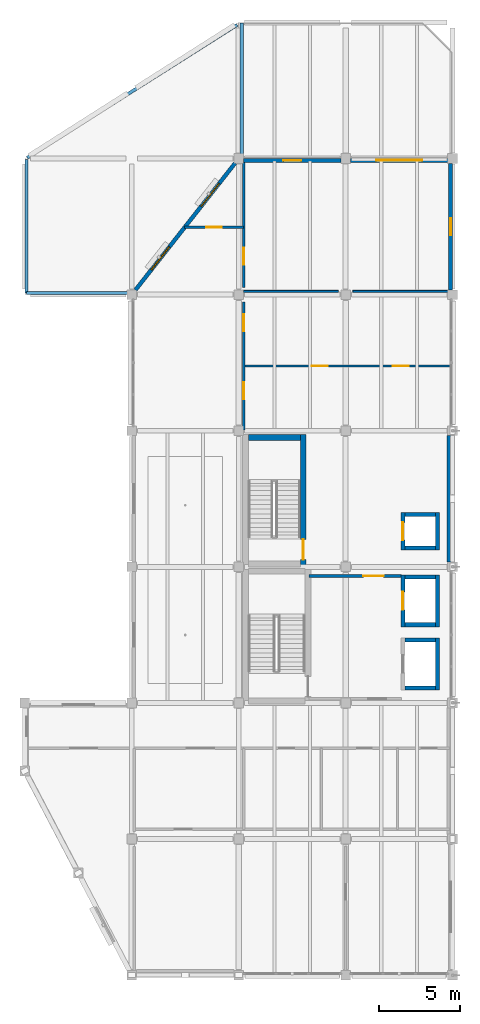
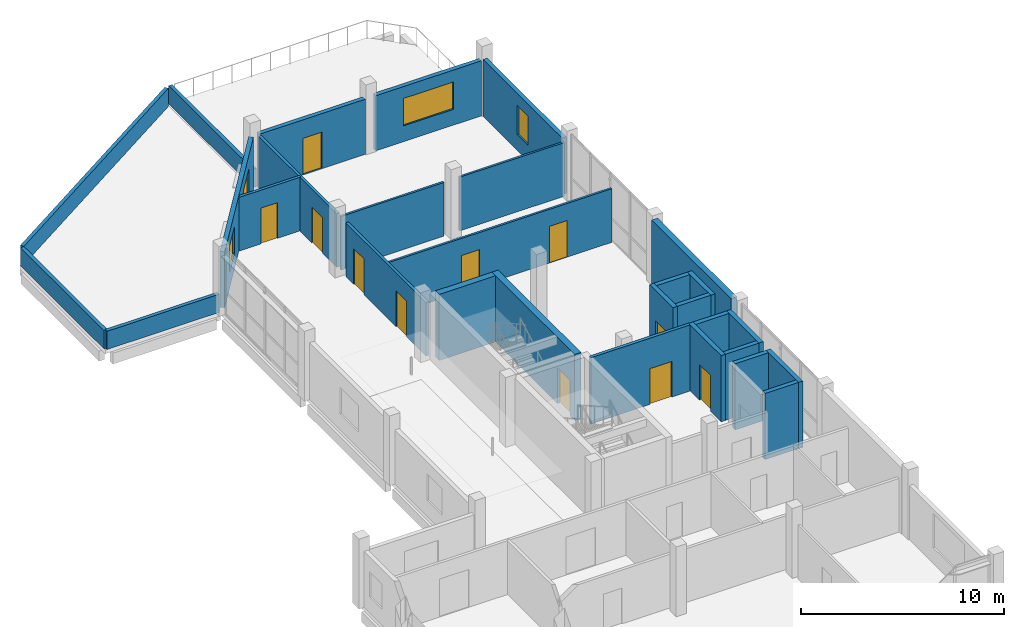
# One storey, part 7 of 12: 29 walls, 11 doors, 4 windows, 15 openings.
"""IFC4 building model written with IfcOpenShell, lengths in metres."""

import ifcopenshell
import ifcopenshell.guid

model = None  # the IFC model being written
_history = None  # IfcOwnerHistory: only IFC2X3 demands one
_inside = {}  # id of a spatial element -> (the spatial element, [elements in it])
_under = {}  # id of a project, library or spatial element -> (it, [spatial elements below it])
_declared = {}  # id of a project -> (the project, [libraries it declares])
_typed = {}  # id of a type object -> (the type object, [elements of that type])
_made_of = {}  # id of a material, layer set ... -> (it, [elements and type objects made of it])


def new_model(schema):
    """Start an empty IFC model of exactly this schema.

    Asked for "IFC4X3", IfcOpenShell would pick the latest addendum, in which some entities
    have other attributes; the version numbers below select the first issue.
    IFC2X3 requires an IfcOwnerHistory on every rooted entity: one is made here for all.
    """
    global model, _history
    if schema == "IFC4X3":
        model = ifcopenshell.file(schema_version=(4, 3, 0, 0))
    else:
        model = ifcopenshell.file(schema=schema)
    _inside.clear()
    _under.clear()
    _declared.clear()
    _typed.clear()
    _made_of.clear()
    _history = None
    if model.schema == "IFC2X3":
        org = make("IfcOrganization", Name="unknown")
        user = make(
            "IfcPersonAndOrganization",
            ThePerson=make("IfcPerson", FamilyName="unknown"),
            TheOrganization=org,
        )
        app = make(
            "IfcApplication",
            ApplicationDeveloper=org,
            Version="unknown",
            ApplicationFullName="unknown",
            ApplicationIdentifier="unknown",
        )
        _history = make(
            "IfcOwnerHistory",
            OwningUser=user,
            OwningApplication=app,
            ChangeAction="ADDED",
            CreationDate=0,
        )
    return model


def make(cls, **values):
    """One entity of the class cls with the attributes given. An attribute that is None is left unset."""
    return model.create_entity(
        cls, **{name: value for name, value in values.items() if value is not None}
    )


def rooted(cls, **values):
    """An entity with a GlobalId (a new one), such as an element, a storey or a relation."""
    return make(cls, GlobalId=ifcopenshell.guid.new(), OwnerHistory=_history, **values)


def si_unit(unit_type, name, prefix=None):
    """IfcSIUnit, for example si_unit("LENGTHUNIT", "METRE", prefix="MILLI")."""
    return make("IfcSIUnit", UnitType=unit_type, Prefix=prefix, Name=name)


def assignment(units):
    """IfcUnitAssignment: the units of a project."""
    return None if units is None else make("IfcUnitAssignment", Units=units)


def point(xyz):
    """IfcCartesianPoint."""
    return None if xyz is None else make("IfcCartesianPoint", Coordinates=xyz)


def direction(xyz):
    """IfcDirection."""
    return None if xyz is None else make("IfcDirection", DirectionRatios=xyz)


def frame(location, z_axis=None, x_axis=None):
    """IfcAxis2Placement3D, a coordinate frame: its origin and axes. An axis left out is left unset."""
    return make(
        "IfcAxis2Placement3D",
        Location=point(location),
        Axis=direction(z_axis),
        RefDirection=direction(x_axis),
    )


def frame_2d(location, x_axis=None):
    """IfcAxis2Placement2D, a coordinate frame in the plane: its origin and x axis."""
    return make(
        "IfcAxis2Placement2D", Location=point(location), RefDirection=direction(x_axis)
    )


def origin():
    """The frame at (0, 0, 0) with its axes left unset."""
    return frame((0.0, 0.0, 0.0))


def place(relative_to, where):
    """IfcLocalPlacement: puts the frame where relative to a parent placement (None: the world)."""
    return make(
        "IfcLocalPlacement", PlacementRelTo=relative_to, RelativePlacement=where
    )


def context(
    kind, dimensions, precision=None, world=None, true_north=None, identifier=None
):
    """IfcGeometricRepresentationContext, for example the 3D "Model" context."""
    return make(
        "IfcGeometricRepresentationContext",
        ContextIdentifier=identifier,
        ContextType=kind,
        CoordinateSpaceDimension=dimensions,
        Precision=precision,
        WorldCoordinateSystem=world,
        TrueNorth=true_north,
    )


def subcontext(parent, identifier, kind, view, scale=None):
    """IfcGeometricRepresentationSubContext, for example "Body" below "Model"."""
    return make(
        "IfcGeometricRepresentationSubContext",
        ContextIdentifier=identifier,
        ContextType=kind,
        ParentContext=parent,
        TargetScale=scale,
        TargetView=view,
    )


def project(units=None, contexts=None):
    """IfcProject with its units and contexts."""
    return rooted(
        "IfcProject",
        Name="project",
        RepresentationContexts=contexts,
        UnitsInContext=assignment(units),
    )


def spatial(cls, under=None, at=None, **own):
    """A site, building, storey or space (cls), placed at a placement, below another one or the project."""
    s = rooted(cls, ObjectPlacement=at, **own)
    if under is not None:
        _under.setdefault(under.id(), (under, []))[1].append(s)
    return s


def profile(cls, at=None, kind="AREA", **sizes):
    """A parametric profile (cls). Its sizes go by their IFC names, for example OverallWidth=200.0."""
    return make(cls, ProfileType=kind, Position=at, **sizes)


def rectangle(**sizes):
    """IfcRectangleProfileDef."""
    return profile("IfcRectangleProfileDef", **sizes)


def extrude(swept, where, along, depth):
    """IfcExtrudedAreaSolid: the profile swept, set in the frame where, extruded along a direction by depth."""
    return make(
        "IfcExtrudedAreaSolid",
        SweptArea=swept,
        Position=where,
        ExtrudedDirection=direction(along),
        Depth=depth,
    )


def shape(context_of_items, identifier, shape_type, items):
    """IfcShapeRepresentation: the items that make up one representation, for example the "Body"."""
    return make(
        "IfcShapeRepresentation",
        ContextOfItems=context_of_items,
        RepresentationIdentifier=identifier,
        RepresentationType=shape_type,
        Items=items,
    )


def material(Name=None, Category=None):
    """IfcMaterial."""
    return make("IfcMaterial", Name=Name, Category=Category)


def layer(
    of_material, thickness, ventilated=None, Name=None, Category=None, Priority=None
):
    """IfcMaterialLayer: one layer of a wall or slab, of a material (None: an air gap)."""
    return make(
        "IfcMaterialLayer",
        Material=of_material,
        LayerThickness=thickness,
        IsVentilated=ventilated,
        Name=Name,
        Category=Category,
        Priority=Priority,
    )


def layer_set(layers, Name=None):
    """IfcMaterialLayerSet."""
    return make("IfcMaterialLayerSet", MaterialLayers=layers, LayerSetName=Name)


def made_of(thing, what):
    """Note that an element or type object is made of a material, layer set ...; save() writes the relation."""
    if what is not None:
        _made_of.setdefault(what.id(), (what, []))[1].append(thing)
    return thing


def type_object(cls, material=None, **own):
    """A type object (cls), such as IfcWallType, which elements share."""
    return made_of(rooted(cls, **own), material)


def element(
    cls,
    number,
    at=None,
    inside=None,
    cuts=None,
    type_object=None,
    material=None,
    context=None,
    identifier="Body",
    shape_type=None,
    held_by="IfcProductDefinitionShape",
    body=None,
    shapes=None,
    **own,
):
    """One element of the class cls, such as IfcWall. Its Tag is "e" and its number.

    at: its placement. inside: the storey or other place that contains it. cuts: it is an
    opening in that element (IfcRelVoidsElement). A single representation is given by context,
    identifier, shape_type and body (its items); several are given by shapes. held_by: the class
    of the entity that holds the representations. save() writes the other relations.
    """
    e = rooted(cls, Tag="e%d" % number, ObjectPlacement=at, **own)
    if body is not None:
        shapes = [shape(context, identifier, shape_type, body)]
    if shapes is not None:
        e.Representation = make(held_by, Representations=shapes)
    if inside is not None:
        _inside.setdefault(inside.id(), (inside, []))[1].append(e)
    if cuts is not None:
        rooted(
            "IfcRelVoidsElement", RelatingBuildingElement=cuts, RelatedOpeningElement=e
        )
    if type_object is not None:
        _typed.setdefault(type_object.id(), (type_object, []))[1].append(e)
    return made_of(e, material)


def fill(opening, filler):
    """IfcRelFillsElement: the door or window that sits in an opening."""
    return rooted(
        "IfcRelFillsElement",
        RelatingOpeningElement=opening,
        RelatedBuildingElement=filler,
    )


def aggregate(whole, parts):
    """IfcRelAggregates: a whole, such as a stair, and the parts it consists of."""
    return rooted("IfcRelAggregates", RelatingObject=whole, RelatedObjects=parts)


def save(model, path):
    """Write the relations noted so far, then the file.

    IfcRelAggregates (storeys below a building ...), IfcRelContainedInSpatialStructure (elements
    in a storey), IfcRelDefinesByType, IfcRelAssociatesMaterial and IfcRelDeclares: one each for
    every whole, place, type object, material and project.
    """
    for whole, parts in _under.values():
        aggregate(whole, parts)
    for where, things in _inside.values():
        rooted(
            "IfcRelContainedInSpatialStructure",
            RelatedElements=things,
            RelatingStructure=where,
        )
    for kind, things in _typed.values():
        rooted("IfcRelDefinesByType", RelatedObjects=things, RelatingType=kind)
    for what, things in _made_of.values():
        rooted("IfcRelAssociatesMaterial", RelatedObjects=things, RelatingMaterial=what)
    for by, libraries in _declared.values():
        rooted("IfcRelDeclares", RelatingContext=by, RelatedDefinitions=libraries)
    model.write(path)


model = new_model("IFC4")

# Units and contexts
model_context = context("Model", 3, precision=1e-05, world=origin(), true_north=direction((0.0, 1.0)))
body_context = subcontext(model_context, "Body", "Model", "MODEL_VIEW")
ifc_project = project(units=[si_unit("LENGTHUNIT", "METRE"), si_unit("AREAUNIT", "SQUARE_METRE"), si_unit("VOLUMEUNIT", "CUBIC_METRE"), si_unit("PLANEANGLEUNIT", "RADIAN"), si_unit("MASSUNIT", "GRAM", prefix="KILO")], contexts=[model_context])

# Site, building, storey
site_placement = place(None, origin())
site = spatial("IfcSite", under=ifc_project, at=site_placement, CompositionType="ELEMENT")
building_placement = place(site_placement, origin())
building = spatial("IfcBuilding", under=site, at=building_placement, Name="Qaldarim Faculty of Natural and Applied Sciences", CompositionType="ELEMENT")
storey_placement = place(building_placement, frame((0.0, 0.0, 31.199951171875)))
storey = spatial("IfcBuildingStorey", under=building, at=storey_placement, Name="L07", CompositionType="ELEMENT", Elevation=31.199951171875)

# Walls
ifc_material_1 = material(Name="Painted gypsum partition board")
ifc_layer_1 = layer(ifc_material_1, 0.1201171875)
ifc_layer_set_1 = layer_set([ifc_layer_1], Name="Painted gypsum partition board")
wall_type_1 = type_object("IfcWallType", Name="AcousticPartition-120", PredefinedType="PARTITIONING", material=ifc_layer_set_1)
wall_1_placement = place(storey_placement, frame((165.300048828125, 42.199951171875, 0.0), z_axis=(0.0, 0.0, 1.0), x_axis=(1.0, 0.0, 0.0)))
element("IfcWall", 1, at=wall_1_placement, inside=storey, type_object=wall_type_1, Name="Interior partition PRT-L07-U-D2-S1", PredefinedType="PARTITIONING", context=body_context, shape_type="SweptSolid", body=[
    extrude(rectangle(XDim=5.849853515625, YDim=0.1201171875, at=frame_2d((2.9248046875, 0.0))), origin(), (0.0, 0.0, 1.0), 3.22998046875),
])
wall_2_placement = place(storey_placement, frame((172.050048828125, 42.199951171875, 0.0), z_axis=(0.0, 0.0, 1.0), x_axis=(1.0, 0.0, 0.0)))
element("IfcWall", 2, at=wall_2_placement, inside=storey, type_object=wall_type_1, Name="Interior partition PRT-L07-U-D2-S2", PredefinedType="PARTITIONING", context=body_context, shape_type="SweptSolid", body=[
    extrude(rectangle(XDim=5.949951171875, YDim=0.1201171875, at=frame_2d((2.97509765625, 0.0))), origin(), (0.0, 0.0, 1.0), 3.22998046875),
])

# Wall, openings, doors
wall_3_placement = place(storey_placement, frame((165.300048828125, 37.60009765625, 0.0), z_axis=(0.0, 0.0, 1.0), x_axis=(1.0, 0.0, 0.0)))
wall_3 = element("IfcWall", 3, at=wall_3_placement, inside=storey, type_object=wall_type_1, Name="Interior partition PRT-L07-V5-USUB-1", PredefinedType="PARTITIONING", context=body_context, shape_type="SweptSolid", body=[
    extrude(rectangle(XDim=12.75, YDim=0.1201171875, at=frame_2d((6.375, 0.0))), origin(), (0.0, 0.0, 1.0), 3.22998046875),
])
opening_1_placement = place(wall_3_placement, frame((4.199951171875, 0.0, 0.0)))
opening_1 = element("IfcOpeningElement", 4, at=opening_1_placement, cuts=wall_3, Name="Opening ID08", PredefinedType="OPENING", context=body_context, shape_type="SweptSolid", body=[
    extrude(rectangle(XDim=1.0, YDim=2.199951171875, at=frame_2d((0.5, 1.10009765625))), frame((0.0, 0.070068359375, 0.0), z_axis=(0.0, -1.0, 0.0), x_axis=(1.0, 0.0, 0.0)), (0.0, 0.0, 1.0), 0.14013671875),
])
opening_2_placement = place(wall_3_placement, frame((9.199951171875, 0.0, 0.0)))
opening_2 = element("IfcOpeningElement", 5, at=opening_2_placement, cuts=wall_3, Name="Opening ID08", PredefinedType="OPENING", context=body_context, shape_type="SweptSolid", body=[
    extrude(rectangle(XDim=1.0, YDim=2.199951171875, at=frame_2d((0.5, 1.10009765625))), frame((0.0, 0.070068359375, 0.0), z_axis=(0.0, -1.0, 0.0), x_axis=(1.0, 0.0, 0.0)), (0.0, 0.0, 1.0), 0.14013671875),
])
ifc_material_2 = material(Name="Oak hardwood", Category="wood")
door_type_1 = type_object("IfcDoorType", Name="SeminarRoomDoor-1000x2200", OperationType="NOTDEFINED", PredefinedType="DOOR", material=ifc_material_2)
door_1_placement = place(opening_1_placement, origin())
door_1 = element("IfcDoor", 6, at=door_1_placement, inside=storey, type_object=door_type_1, Name="Interior door D-L07-356", OperationType="SINGLE_SWING_LEFT", OverallHeight=2.199951171875, OverallWidth=1.0, PredefinedType="DOOR", context=body_context, shape_type="SweptSolid", body=[
    extrude(rectangle(XDim=1.0, YDim=2.199951171875, at=frame_2d((0.5, 1.10009765625))), frame((0.0, 0.02490234375, 0.0), z_axis=(0.0, -1.0, 0.0), x_axis=(1.0, 0.0, 0.0)), (0.0, 0.0, 1.0), 0.050048828125),
])
fill(opening_1, door_1)
door_2_placement = place(opening_2_placement, origin())
door_2 = element("IfcDoor", 7, at=door_2_placement, inside=storey, type_object=door_type_1, Name="Interior door D-L07-357", OperationType="SINGLE_SWING_RIGHT", OverallHeight=2.199951171875, OverallWidth=1.0, PredefinedType="DOOR", context=body_context, shape_type="SweptSolid", body=[
    extrude(rectangle(XDim=1.0, YDim=2.199951171875, at=frame_2d((0.5, 1.10009765625))), frame((0.0, 0.02490234375, 0.0), z_axis=(0.0, -1.0, 0.0), x_axis=(1.0, 0.0, 0.0)), (0.0, 0.0, 1.0), 0.050048828125),
])
fill(opening_2, door_2)

# Wall, opening, door
ifc_material_3 = material(Name="Concrete C50/60", Category="concrete")
ifc_layer_2 = layer(ifc_material_3, 0.360107421875)
ifc_layer_set_2 = layer_set([ifc_layer_2], Name="Concrete C50/60")
wall_type_2 = type_object("IfcWallType", Name="CoreShearWall-360", PredefinedType="SHEAR", material=ifc_layer_set_2)
wall_4_placement = place(storey_placement, frame((168.97998046875, 25.18994140625, 0.0), z_axis=(0.0, 0.0, 1.0), x_axis=(0.0, 1.0, 0.0)))
wall_4 = element("IfcWall", 8, at=wall_4_placement, inside=storey, type_object=wall_type_2, Name="Core stair ST-A2 east shear wall L07", PredefinedType="SHEAR", context=body_context, shape_type="SweptSolid", body=[
    extrude(rectangle(XDim=8.170166015625, YDim=0.360107421875, at=frame_2d((4.0849609375, 0.0))), origin(), (0.0, 0.0, 1.0), 3.97998046875),
])
opening_3_placement = place(wall_4_placement, frame((0.449951171875, 0.0, 0.0)))
opening_3 = element("IfcOpeningElement", 9, at=opening_3_placement, cuts=wall_4, Name="Opening ID04", PredefinedType="OPENING", context=body_context, shape_type="SweptSolid", body=[
    extrude(rectangle(XDim=1.25, YDim=2.14990234375, at=frame_2d((0.625, 1.074951171875))), frame((0.0, 0.18994140625, 0.0), z_axis=(0.0, -1.0, 0.0), x_axis=(1.0, 0.0, 0.0)), (0.0, 0.0, 1.0), 0.380126953125),
])
ifc_material_4 = material(Name="Architectural stainless steel 316", Category="steel")
door_type_2 = type_object("IfcDoorType", Name="StairEnclosureFireDoor-1250x2150", OperationType="NOTDEFINED", PredefinedType="DOOR", material=ifc_material_4)
door_3_placement = place(opening_3_placement, origin())
door_3 = element("IfcDoor", 10, at=door_3_placement, inside=storey, type_object=door_type_2, Name="Protected stair ST-A2 fire door D-L07-521", OperationType="SINGLE_SWING_LEFT", OverallHeight=2.14990234375, OverallWidth=1.25, PredefinedType="DOOR", context=body_context, shape_type="SweptSolid", body=[
    extrude(rectangle(XDim=1.25, YDim=2.14990234375, at=frame_2d((0.625, 1.074951171875))), frame((0.0, 0.02490234375, 0.0), z_axis=(0.0, -1.0, 0.0), x_axis=(1.0, 0.0, 0.0)), (0.0, 0.0, 1.0), 0.050048828125),
])
fill(opening_3, door_3)

# Wall
wall_5_placement = place(storey_placement, frame((165.60009765625, 33.179931640625, 0.0), z_axis=(0.0, 0.0, 1.0), x_axis=(1.0, 0.0, 0.0)))
element("IfcWall", 11, at=wall_5_placement, inside=storey, type_object=wall_type_2, Name="Core stair ST-A2 north shear wall L07", PredefinedType="SHEAR", context=body_context, shape_type="SweptSolid", body=[
    extrude(rectangle(XDim=3.199951171875, YDim=0.360107421875, at=frame_2d((1.60009765625, 0.0))), origin(), (0.0, 0.0, 1.0), 3.97998046875),
])

# Wall, opening, door
ifc_material_5 = material(Name="Precast concrete C40/50", Category="concrete")
ifc_layer_3 = layer(ifc_material_5, 0.239990234375)
ifc_layer_set_3 = layer_set([ifc_layer_3], Name="Precast concrete C40/50")
wall_type_3 = type_object("IfcWallType", Name="ExteriorInsulatedWall-240", PredefinedType="SOLIDWALL", material=ifc_layer_set_3)
wall_6_placement = place(storey_placement, frame((171.304931640625, 50.280029296875, 0.0), z_axis=(0.0, 0.0, 1.0), x_axis=(-1.0, 0.0, 0.0)))
wall_6 = element("IfcWall", 12, at=wall_6_placement, inside=storey, type_object=wall_type_3, Name="Exterior wall EW03 L07 N X26Y06", PredefinedType="SOLIDWALL", context=body_context, shape_type="SweptSolid", body=[
    extrude(rectangle(XDim=6.010009765625, YDim=0.239990234375, at=frame_2d((3.0048828125, 0.0))), origin(), (0.0, 0.0, 1.0), 3.31494140625),
])
opening_4_placement = place(wall_6_placement, frame((2.455078125, 0.0, 0.0)))
opening_4 = element("IfcOpeningElement", 13, at=opening_4_placement, cuts=wall_6, Name="Opening ED03", PredefinedType="OPENING", context=body_context, shape_type="SweptSolid", body=[
    extrude(rectangle(XDim=1.10009765625, YDim=2.199951171875, at=frame_2d((0.550048828125, 1.10009765625))), frame((0.0, 0.1298828125, 0.0), z_axis=(0.0, -1.0, 0.0), x_axis=(1.0, 0.0, 0.0)), (0.0, 0.0, 1.0), 0.260009765625),
])
ifc_material_6 = material(Name="Anodised aluminium AW-6063", Category="aluminium")
door_type_3 = type_object("IfcDoorType", Name="TerraceAccessDoor-1100x2200", OperationType="NOTDEFINED", PredefinedType="DOOR", material=ifc_material_6)
door_4_placement = place(opening_4_placement, frame((1.10009765625, 0.0, 0.0), z_axis=(0.0, 0.0, 1.0), x_axis=(-1.0, 0.0, 0.0)))
door_4 = element("IfcDoor", 14, at=door_4_placement, inside=storey, type_object=door_type_3, Name="Terrace access door D-L07-029", OperationType="SINGLE_SWING_LEFT", OverallHeight=2.199951171875, OverallWidth=1.10009765625, PredefinedType="DOOR", context=body_context, shape_type="SweptSolid", body=[
    extrude(rectangle(XDim=1.10009765625, YDim=2.199951171875, at=frame_2d((0.550048828125, 1.10009765625))), frame((0.0, 0.02490234375, 0.0), z_axis=(0.0, -1.0, 0.0), x_axis=(1.0, 0.0, 0.0)), (0.0, 0.0, 1.0), 0.050048828125),
])
fill(opening_4, door_4)

# Wall, opening, window
wall_7_placement = place(storey_placement, frame((178.080078125, 42.294921875, 0.0), z_axis=(0.0, 0.0, 1.0), x_axis=(0.0, 1.0, 0.0)))
wall_7 = element("IfcWall", 15, at=wall_7_placement, inside=storey, type_object=wall_type_3, Name="Exterior wall EW03 L07 E X27Y06", PredefinedType="SOLIDWALL", context=body_context, shape_type="SweptSolid", body=[
    extrude(rectangle(XDim=7.81005859375, YDim=0.239990234375, at=frame_2d((3.905029296875, 0.0))), origin(), (0.0, 0.0, 1.0), 3.4150390625),
])
opening_5_placement = place(wall_7_placement, frame((3.3798828125, 0.0, 0.949951171875)))
opening_5 = element("IfcOpeningElement", 16, at=opening_5_placement, cuts=wall_7, Name="Opening WN17", PredefinedType="OPENING", context=body_context, shape_type="SweptSolid", body=[
    extrude(rectangle(XDim=1.050048828125, YDim=1.75, at=frame_2d((0.52490234375, 0.875))), frame((0.0, 0.1298828125, 0.0), z_axis=(0.0, -1.0, 0.0), x_axis=(1.0, 0.0, 0.0)), (0.0, 0.0, 1.0), 0.260009765625),
])
ifc_material_7 = material(Name="Insulated low-e double glazing", Category="glass")
window_type_1 = type_object("IfcWindowType", Name="StudyWindow-1050x1750", PartitioningType="SINGLE_PANEL", PredefinedType="WINDOW", material=ifc_material_7)
window_1_placement = place(opening_5_placement, origin())
window_1 = element("IfcWindow", 17, at=window_1_placement, inside=storey, type_object=window_type_1, Name="Facade window WN17 L07 E X27Y06", OverallHeight=1.75, OverallWidth=1.050048828125, PartitioningType="SINGLE_PANEL", PredefinedType="WINDOW", context=body_context, shape_type="SweptSolid", body=[
    extrude(rectangle(XDim=1.050048828125, YDim=1.75, at=frame_2d((0.52490234375, 0.875))), frame((0.0, 0.030029296875, 0.0), z_axis=(0.0, -1.0, 0.0), x_axis=(1.0, 0.0, 0.0)), (0.0, 0.0, 1.0), 0.06005859375),
])
fill(opening_5, window_1)

wall_8_placement = place(storey_placement, frame((177.905029296875, 50.280029296875, 0.0), z_axis=(0.0, 0.0, 1.0), x_axis=(-1.0, 0.0, 0.0)))
wall_8 = element("IfcWall", 18, at=wall_8_placement, inside=storey, type_object=wall_type_3, Name="Exterior wall EW03 L07 N X27Y06", PredefinedType="SOLIDWALL", context=body_context, shape_type="SweptSolid", body=[
    extrude(rectangle(XDim=6.010009765625, YDim=0.239990234375, at=frame_2d((3.0048828125, 0.0))), origin(), (0.0, 0.0, 1.0), 3.31494140625),
])
opening_6_placement = place(wall_8_placement, frame((1.580078125, 0.0, 0.949951171875)))
opening_6 = element("IfcOpeningElement", 19, at=opening_6_placement, cuts=wall_8, Name="Opening WN14", PredefinedType="OPENING", context=body_context, shape_type="SweptSolid", body=[
    extrude(rectangle(XDim=2.85009765625, YDim=1.64990234375, at=frame_2d((1.425048828125, 0.824951171875))), frame((0.0, 0.1298828125, 0.0), z_axis=(0.0, -1.0, 0.0), x_axis=(1.0, 0.0, 0.0)), (0.0, 0.0, 1.0), 0.260009765625),
])
window_type_2 = type_object("IfcWindowType", Name="LabWindow-2850x1650", PartitioningType="TRIPLE_PANEL_VERTICAL", PredefinedType="WINDOW", material=ifc_material_7)
window_2_placement = place(opening_6_placement, origin())
window_2 = element("IfcWindow", 20, at=window_2_placement, inside=storey, type_object=window_type_2, Name="Facade window WN14 L07 N X27Y06", OverallHeight=1.64990234375, OverallWidth=2.85009765625, PartitioningType="SINGLE_PANEL", PredefinedType="WINDOW", context=body_context, shape_type="SweptSolid", body=[
    extrude(rectangle(XDim=2.85009765625, YDim=1.64990234375, at=frame_2d((1.425048828125, 0.824951171875))), frame((0.0, 0.030029296875, 0.0), z_axis=(0.0, -1.0, 0.0), x_axis=(1.0, 0.0, 0.0)), (0.0, 0.0, 1.0), 0.06005859375),
])
fill(opening_6, window_2)

# Wall, openings, windows
wall_9_placement = place(storey_placement, frame((158.6201171875, 42.280029296875, 0.0), z_axis=(0.0, 0.0, 1.0), x_axis=(0.617811819191, 0.786325985878, 0.0)))
wall_9 = element("IfcWall", 21, at=wall_9_placement, inside=storey, type_object=wall_type_3, Name="Oblique NW chamfer fenestrated wall L07", PredefinedType="SOLIDWALL", context=body_context, shape_type="SweptSolid", body=[
    extrude(rectangle(XDim=9.970458984375, YDim=0.239990234375, at=frame_2d((4.9853515625, 0.0))), origin(), (0.0, 0.0, 1.0), 3.364990234375),
])
opening_7_placement = place(wall_9_placement, frame((1.60009765625, 0.0, 0.949951171875)))
opening_7 = element("IfcOpeningElement", 22, at=opening_7_placement, cuts=wall_9, Name="Opening WN02", PredefinedType="OPENING", context=body_context, shape_type="SweptSolid", body=[
    extrude(rectangle(XDim=1.800048828125, YDim=1.60009765625, at=frame_2d((0.89990234375, 0.800048828125))), frame((0.0, 0.1298828125, 0.0), z_axis=(0.0, -1.0, 0.0), x_axis=(1.0, 0.0, 0.0)), (0.0, 0.0, 1.0), 0.260009765625),
])
opening_8_placement = place(wall_9_placement, frame((6.570068359375, 0.0, 0.949951171875)))
opening_8 = element("IfcOpeningElement", 23, at=opening_8_placement, cuts=wall_9, Name="Opening WN02", PredefinedType="OPENING", context=body_context, shape_type="SweptSolid", body=[
    extrude(rectangle(XDim=1.800048828125, YDim=1.60009765625, at=frame_2d((0.89990234375, 0.800048828125))), frame((0.0, 0.1298828125, 0.0), z_axis=(0.0, -1.0, 0.0), x_axis=(1.0, 0.0, 0.0)), (0.0, 0.0, 1.0), 0.260009765625),
])
window_type_3 = type_object("IfcWindowType", Name="Window-1800x1600", PartitioningType="DOUBLE_PANEL_VERTICAL", PredefinedType="WINDOW", material=ifc_material_7)
window_3_placement = place(opening_7_placement, origin())
window_3 = element("IfcWindow", 24, at=window_3_placement, inside=storey, type_object=window_type_3, Name="Oblique NW stepped tier window L07 1", OverallHeight=1.60009765625, OverallWidth=1.800048828125, PartitioningType="SINGLE_PANEL", PredefinedType="WINDOW", context=body_context, shape_type="SweptSolid", body=[
    extrude(rectangle(XDim=1.800048828125, YDim=1.60009765625, at=frame_2d((0.89990234375, 0.800048828125))), frame((0.0, 0.030029296875, 0.0), z_axis=(0.0, -1.0, 0.0), x_axis=(1.0, 0.0, 0.0)), (0.0, 0.0, 1.0), 0.06005859375),
])
fill(opening_7, window_3)
window_4_placement = place(opening_8_placement, origin())
window_4 = element("IfcWindow", 25, at=window_4_placement, inside=storey, type_object=window_type_3, Name="Oblique NW stepped tier window L07 2", OverallHeight=1.60009765625, OverallWidth=1.800048828125, PartitioningType="SINGLE_PANEL", PredefinedType="WINDOW", context=body_context, shape_type="SweptSolid", body=[
    extrude(rectangle(XDim=1.800048828125, YDim=1.60009765625, at=frame_2d((0.89990234375, 0.800048828125))), frame((0.0, 0.030029296875, 0.0), z_axis=(0.0, -1.0, 0.0), x_axis=(1.0, 0.0, 0.0)), (0.0, 0.0, 1.0), 0.06005859375),
])
fill(opening_8, window_4)

# Wall
ifc_layer_4 = layer(ifc_material_3, 0.340087890625)
ifc_layer_set_4 = layer_set([ifc_layer_4], Name="Concrete C50/60")
wall_type_4 = type_object("IfcWallType", Name="ExteriorStairShearWall-340", PredefinedType="SHEAR", material=ifc_layer_set_4)
wall_10_placement = place(storey_placement, frame((178.030029296875, 25.4951171875, 0.0), z_axis=(0.0, 0.0, 1.0), x_axis=(0.0, 1.0, 0.0)))
element("IfcWall", 26, at=wall_10_placement, inside=storey, type_object=wall_type_4, Name="Exterior wall EW05 L07 E X27Y04", PredefinedType="SHEAR", context=body_context, shape_type="SweptSolid", body=[
    extrude(rectangle(XDim=7.809814453125, YDim=0.340087890625, at=frame_2d((3.90478515625, 0.0))), origin(), (0.0, 0.0, 1.0), 3.97998046875),
])

# Wall, openings, doors
ifc_material_8 = material(Name="Concrete C40/50", Category="concrete")
ifc_layer_5 = layer(ifc_material_8, 0.159912109375)
ifc_layer_set_5 = layer_set([ifc_layer_5], Name="Concrete C40/50")
wall_type_5 = type_object("IfcWallType", Name="FireCorridorWall-160", PredefinedType="PARTITIONING", material=ifc_layer_set_5)
wall_11_placement = place(storey_placement, frame((165.300048828125, 33.64990234375, 0.0), z_axis=(0.0, 0.0, 1.0), x_axis=(0.0, 1.0, 0.0)))
wall_11 = element("IfcWall", 27, at=wall_11_placement, inside=storey, type_object=wall_type_5, Name="Interior partition PRT-L07-U-NW-S1", PredefinedType="PARTITIONING", context=body_context, shape_type="SweptSolid", body=[
    extrude(rectangle(XDim=7.900146484375, YDim=0.159912109375, at=frame_2d((3.9501953125, 0.0))), origin(), (0.0, 0.0, 1.0), 3.22998046875),
])
opening_9_placement = place(wall_11_placement, frame((1.89990234375, 0.0, 0.0)))
opening_9 = element("IfcOpeningElement", 28, at=opening_9_placement, cuts=wall_11, Name="Opening ID02", PredefinedType="OPENING", context=body_context, shape_type="SweptSolid", body=[
    extrude(rectangle(XDim=1.050048828125, YDim=2.14990234375, at=frame_2d((0.52490234375, 1.074951171875))), frame((0.0, 0.08984375, 0.0), z_axis=(0.0, -1.0, 0.0), x_axis=(1.0, 0.0, 0.0)), (0.0, 0.0, 1.0), 0.179931640625),
])
opening_10_placement = place(wall_11_placement, frame((6.10009765625, 0.0, 0.0)))
opening_10 = element("IfcOpeningElement", 29, at=opening_10_placement, cuts=wall_11, Name="Opening ID02", PredefinedType="OPENING", context=body_context, shape_type="SweptSolid", body=[
    extrude(rectangle(XDim=1.050048828125, YDim=2.14990234375, at=frame_2d((0.52490234375, 1.074951171875))), frame((0.0, 0.08984375, 0.0), z_axis=(0.0, -1.0, 0.0), x_axis=(1.0, 0.0, 0.0)), (0.0, 0.0, 1.0), 0.179931640625),
])
door_type_4 = type_object("IfcDoorType", Name="AccessibleRoomDoor-1050x2150", OperationType="NOTDEFINED", PredefinedType="DOOR", material=ifc_material_2)
door_5_placement = place(opening_9_placement, origin())
door_5 = element("IfcDoor", 30, at=door_5_placement, inside=storey, type_object=door_type_4, Name="Interior door D-L07-271", OperationType="SINGLE_SWING_LEFT", OverallHeight=2.14990234375, OverallWidth=1.050048828125, PredefinedType="DOOR", context=body_context, shape_type="SweptSolid", body=[
    extrude(rectangle(XDim=1.050048828125, YDim=2.14990234375, at=frame_2d((0.52490234375, 1.074951171875))), frame((0.0, 0.02490234375, 0.0), z_axis=(0.0, -1.0, 0.0), x_axis=(1.0, 0.0, 0.0)), (0.0, 0.0, 1.0), 0.050048828125),
])
fill(opening_9, door_5)
door_6_placement = place(opening_10_placement, origin())
door_6 = element("IfcDoor", 31, at=door_6_placement, inside=storey, type_object=door_type_4, Name="Interior door D-L07-272", OperationType="SINGLE_SWING_RIGHT", OverallHeight=2.14990234375, OverallWidth=1.050048828125, PredefinedType="DOOR", context=body_context, shape_type="SweptSolid", body=[
    extrude(rectangle(XDim=1.050048828125, YDim=2.14990234375, at=frame_2d((0.52490234375, 1.074951171875))), frame((0.0, 0.02490234375, 0.0), z_axis=(0.0, -1.0, 0.0), x_axis=(1.0, 0.0, 0.0)), (0.0, 0.0, 1.0), 0.050048828125),
])
fill(opening_10, door_6)

# Wall, opening, door
wall_12_placement = place(storey_placement, frame((165.300048828125, 42.449951171875, 0.0), z_axis=(0.0, 0.0, 1.0), x_axis=(0.0, 1.0, 0.0)))
wall_12 = element("IfcWall", 32, at=wall_12_placement, inside=storey, type_object=wall_type_5, Name="Interior partition PRT-L07-U-NW-S2", PredefinedType="PARTITIONING", context=body_context, shape_type="SweptSolid", body=[
    extrude(rectangle(XDim=7.699951171875, YDim=0.159912109375, at=frame_2d((3.85009765625, 0.0))), origin(), (0.0, 0.0, 1.0), 3.22998046875),
])
opening_11_placement = place(wall_12_placement, frame((1.39990234375, 0.0, 0.0)))
opening_11 = element("IfcOpeningElement", 33, at=opening_11_placement, cuts=wall_12, Name="Opening ID02", PredefinedType="OPENING", context=body_context, shape_type="SweptSolid", body=[
    extrude(rectangle(XDim=1.050048828125, YDim=2.14990234375, at=frame_2d((0.52490234375, 1.074951171875))), frame((0.0, 0.08984375, 0.0), z_axis=(0.0, -1.0, 0.0), x_axis=(1.0, 0.0, 0.0)), (0.0, 0.0, 1.0), 0.179931640625),
])
door_7_placement = place(opening_11_placement, origin())
door_7 = element("IfcDoor", 34, at=door_7_placement, inside=storey, type_object=door_type_4, Name="Interior door D-L07-273", OperationType="SINGLE_SWING_LEFT", OverallHeight=2.14990234375, OverallWidth=1.050048828125, PredefinedType="DOOR", context=body_context, shape_type="SweptSolid", body=[
    extrude(rectangle(XDim=1.050048828125, YDim=2.14990234375, at=frame_2d((0.52490234375, 1.074951171875))), frame((0.0, 0.02490234375, 0.0), z_axis=(0.0, -1.0, 0.0), x_axis=(1.0, 0.0, 0.0)), (0.0, 0.0, 1.0), 0.050048828125),
])
fill(opening_11, door_7)

wall_13_placement = place(storey_placement, frame((161.64990234375, 46.14990234375, 0.0), z_axis=(0.0, 0.0, 1.0), x_axis=(1.0, 0.0, 0.0)))
wall_13 = element("IfcWall", 35, at=wall_13_placement, inside=storey, type_object=wall_type_5, Name="Interior partition PRT-L07-V5-NWRS", PredefinedType="PARTITIONING", context=body_context, shape_type="SweptSolid", body=[
    extrude(rectangle(XDim=3.650146484375, YDim=0.159912109375, at=frame_2d((1.8251953125, 0.0))), origin(), (0.0, 0.0, 1.0), 3.22998046875),
])
opening_12_placement = place(wall_13_placement, frame((1.35009765625, 0.0, 0.0)))
opening_12 = element("IfcOpeningElement", 36, at=opening_12_placement, cuts=wall_13, Name="Opening ID01", PredefinedType="OPENING", context=body_context, shape_type="SweptSolid", body=[
    extrude(rectangle(XDim=0.949951171875, YDim=2.14990234375, at=frame_2d((0.47509765625, 1.074951171875))), frame((0.0, 0.08984375, 0.0), z_axis=(0.0, -1.0, 0.0), x_axis=(1.0, 0.0, 0.0)), (0.0, 0.0, 1.0), 0.179931640625),
])
door_type_5 = type_object("IfcDoorType", Name="SingleRoomDoor-950x2150", OperationType="NOTDEFINED", PredefinedType="DOOR", material=ifc_material_2)
door_8_placement = place(opening_12_placement, origin())
door_8 = element("IfcDoor", 37, at=door_8_placement, inside=storey, type_object=door_type_5, Name="Interior door D-L07-404", OperationType="SINGLE_SWING_LEFT", OverallHeight=2.14990234375, OverallWidth=0.949951171875, PredefinedType="DOOR", context=body_context, shape_type="SweptSolid", body=[
    extrude(rectangle(XDim=0.949951171875, YDim=2.14990234375, at=frame_2d((0.47509765625, 1.074951171875))), frame((0.0, 0.02490234375, 0.0), z_axis=(0.0, -1.0, 0.0), x_axis=(1.0, 0.0, 0.0)), (0.0, 0.0, 1.0), 0.050048828125),
])
fill(opening_12, door_8)

ifc_layer_6 = layer(ifc_material_8, 0.179931640625)
ifc_layer_set_6 = layer_set([ifc_layer_6], Name="Concrete C40/50")
wall_type_6 = type_object("IfcWallType", Name="LabFireCompartmentWall-180", PredefinedType="SOLIDWALL", material=ifc_layer_set_6)
wall_14_placement = place(storey_placement, frame((169.35009765625, 24.639892578125, 0.0), z_axis=(0.0, 0.0, 1.0), x_axis=(1.0, 0.0, 0.0)))
wall_14 = element("IfcWall", 38, at=wall_14_placement, inside=storey, type_object=wall_type_6, Name="Fire-fighting lobby compartment wall Core A L07", PredefinedType="SOLIDWALL", context=body_context, shape_type="SweptSolid", body=[
    extrude(rectangle(XDim=5.699951171875, YDim=0.179931640625, at=frame_2d((2.85009765625, 0.0))), origin(), (0.0, 0.0, 1.0), 3.97998046875),
])
opening_13_placement = place(wall_14_placement, frame((3.35009765625, 0.0, 0.0)))
opening_13 = element("IfcOpeningElement", 39, at=opening_13_placement, cuts=wall_14, Name="Opening ID04", PredefinedType="OPENING", context=body_context, shape_type="SweptSolid", body=[
    extrude(rectangle(XDim=1.25, YDim=2.14990234375, at=frame_2d((0.625, 1.074951171875))), frame((0.0, 0.099853515625, 0.0), z_axis=(0.0, -1.0, 0.0), x_axis=(1.0, 0.0, 0.0)), (0.0, 0.0, 1.0), 0.199951171875),
])
door_9_placement = place(opening_13_placement, frame((1.25, 0.0, 0.0), z_axis=(0.0, 0.0, 1.0), x_axis=(-1.0, 0.0, 0.0)))
door_9 = element("IfcDoor", 40, at=door_9_placement, inside=storey, type_object=door_type_2, Name="Fire-fighting lobby door Core A D-L07-612", OperationType="SINGLE_SWING_RIGHT", OverallHeight=2.14990234375, OverallWidth=1.25, PredefinedType="DOOR", context=body_context, shape_type="SweptSolid", body=[
    extrude(rectangle(XDim=1.25, YDim=2.14990234375, at=frame_2d((0.625, 1.074951171875))), frame((0.0, 0.02490234375, 0.0), z_axis=(0.0, -1.0, 0.0), x_axis=(1.0, 0.0, 0.0)), (0.0, 0.0, 1.0), 0.050048828125),
])
fill(opening_13, door_9)

# Walls
ifc_layer_7 = layer(ifc_material_8, 0.25)
ifc_layer_set_7 = layer_set([ifc_layer_7], Name="Concrete C40/50")
wall_type_7 = type_object("IfcWallType", Name="LiftShaftWall-250", PredefinedType="SHEAR", material=ifc_layer_set_7)
wall_15_placement = place(storey_placement, frame((177.27490234375, 17.60009765625, 0.0), z_axis=(0.0, 0.0, 1.0), x_axis=(0.0, 1.0, 0.0)))
element("IfcWall", 41, at=wall_15_placement, inside=storey, type_object=wall_type_7, Name="Lift LF-A1 rear shaft wall L07", PredefinedType="SHEAR", context=body_context, shape_type="SweptSolid", body=[
    extrude(rectangle(XDim=3.199951171875, YDim=0.25, at=frame_2d((1.60009765625, 0.0))), origin(), (0.0, 0.0, 1.0), 3.97998046875),
])
for number, where, z_axis, x_axis, name in (
    (42, (175.25, 17.72509765625, 0.0), (0.0, 0.0, 1.0), (1.0, 0.0, 0.0), "Lift LF-A1 south shaft wall L07"),
    (43, (175.25, 20.675048828125, 0.0), (0.0, 0.0, 1.0), (1.0, 0.0, 0.0), "Lift LF-A1 north shaft wall L07"),
):
    element("IfcWall", number, at=place(storey_placement, frame(where, z_axis=z_axis, x_axis=x_axis)), inside=storey, type_object=wall_type_7, Name=name, PredefinedType="SHEAR", context=body_context, shape_type="SweptSolid", body=[
        extrude(rectangle(XDim=1.89990234375, YDim=0.25, at=frame_2d((0.949951171875, 0.0))), origin(), (0.0, 0.0, 1.0), 3.97998046875),
    ])

# Wall, opening, door
wall_16_placement = place(storey_placement, frame((175.125, 21.5, 0.0), z_axis=(0.0, 0.0, 1.0), x_axis=(0.0, 1.0, 0.0)))
wall_16 = element("IfcWall", 44, at=wall_16_placement, inside=storey, type_object=wall_type_7, Name="Lift LF-A2 front shaft wall L07", PredefinedType="SHEAR", context=body_context, shape_type="SweptSolid", body=[
    extrude(rectangle(XDim=3.199951171875, YDim=0.25, at=frame_2d((1.60009765625, 0.0))), origin(), (0.0, 0.0, 1.0), 3.97998046875),
])
opening_14_placement = place(wall_16_placement, frame((1.050048828125, 0.0, 0.0)))
opening_14 = element("IfcOpeningElement", 45, at=opening_14_placement, cuts=wall_16, Name="Opening LD01", PredefinedType="OPENING", context=body_context, shape_type="SweptSolid", body=[
    extrude(rectangle(XDim=1.10009765625, YDim=2.14990234375, at=frame_2d((0.550048828125, 1.074951171875))), frame((0.0, 0.135009765625, 0.0), z_axis=(0.0, -1.0, 0.0), x_axis=(1.0, 0.0, 0.0)), (0.0, 0.0, 1.0), 0.27001953125),
])
door_type_6 = type_object("IfcDoorType", Name="LiftLandingSlidingDoor-1100x2150", OperationType="NOTDEFINED", PredefinedType="DOOR", material=ifc_material_4)
door_10_placement = place(opening_14_placement, origin())
door_10 = element("IfcDoor", 46, at=door_10_placement, inside=storey, type_object=door_type_6, Name="Lift landing sliding door LF-A2 D-L07-578", OperationType="SLIDING_TO_LEFT", OverallHeight=2.14990234375, OverallWidth=1.10009765625, PredefinedType="DOOR", context=body_context, shape_type="SweptSolid", body=[
    extrude(rectangle(XDim=1.10009765625, YDim=2.14990234375, at=frame_2d((0.550048828125, 1.074951171875))), frame((0.0, 0.02490234375, 0.0), z_axis=(0.0, -1.0, 0.0), x_axis=(1.0, 0.0, 0.0)), (0.0, 0.0, 1.0), 0.050048828125),
])
fill(opening_14, door_10)

# Walls
wall_17_placement = place(storey_placement, frame((177.27490234375, 21.5, 0.0), z_axis=(0.0, 0.0, 1.0), x_axis=(0.0, 1.0, 0.0)))
element("IfcWall", 47, at=wall_17_placement, inside=storey, type_object=wall_type_7, Name="Lift LF-A2 rear shaft wall L07", PredefinedType="SHEAR", context=body_context, shape_type="SweptSolid", body=[
    extrude(rectangle(XDim=3.199951171875, YDim=0.25, at=frame_2d((1.60009765625, 0.0))), origin(), (0.0, 0.0, 1.0), 3.97998046875),
])
for number, where, z_axis, x_axis, name in (
    (48, (175.25, 21.625, 0.0), (0.0, 0.0, 1.0), (1.0, 0.0, 0.0), "Lift LF-A2 south shaft wall L07"),
    (49, (175.25, 24.574951171875, 0.0), (0.0, 0.0, 1.0), (1.0, 0.0, 0.0), "Lift LF-A2 north shaft wall L07"),
):
    element("IfcWall", number, at=place(storey_placement, frame(where, z_axis=z_axis, x_axis=x_axis)), inside=storey, type_object=wall_type_7, Name=name, PredefinedType="SHEAR", context=body_context, shape_type="SweptSolid", body=[
        extrude(rectangle(XDim=1.89990234375, YDim=0.25, at=frame_2d((0.949951171875, 0.0))), origin(), (0.0, 0.0, 1.0), 3.97998046875),
    ])

# Wall, opening, door
wall_18_placement = place(storey_placement, frame((175.125, 26.25, 0.0), z_axis=(0.0, 0.0, 1.0), x_axis=(0.0, 1.0, 0.0)))
wall_18 = element("IfcWall", 50, at=wall_18_placement, inside=storey, type_object=wall_type_7, Name="Lift LF-A3 front shaft wall L07", PredefinedType="SHEAR", context=body_context, shape_type="SweptSolid", body=[
    extrude(rectangle(XDim=2.300048828125, YDim=0.25, at=frame_2d((1.14990234375, 0.0))), origin(), (0.0, 0.0, 1.0), 3.97998046875),
])
opening_15_placement = place(wall_18_placement, frame((0.60009765625, 0.0, 0.0)))
opening_15 = element("IfcOpeningElement", 51, at=opening_15_placement, cuts=wall_18, Name="Opening LD01", PredefinedType="OPENING", context=body_context, shape_type="SweptSolid", body=[
    extrude(rectangle(XDim=1.10009765625, YDim=2.14990234375, at=frame_2d((0.550048828125, 1.074951171875))), frame((0.0, 0.135009765625, 0.0), z_axis=(0.0, -1.0, 0.0), x_axis=(1.0, 0.0, 0.0)), (0.0, 0.0, 1.0), 0.27001953125),
])
door_11_placement = place(opening_15_placement, origin())
door_11 = element("IfcDoor", 52, at=door_11_placement, inside=storey, type_object=door_type_6, Name="Lift landing sliding door LF-A3 D-L07-591", OperationType="SLIDING_TO_LEFT", OverallHeight=2.14990234375, OverallWidth=1.10009765625, PredefinedType="DOOR", context=body_context, shape_type="SweptSolid", body=[
    extrude(rectangle(XDim=1.10009765625, YDim=2.14990234375, at=frame_2d((0.550048828125, 1.074951171875))), frame((0.0, 0.02490234375, 0.0), z_axis=(0.0, -1.0, 0.0), x_axis=(1.0, 0.0, 0.0)), (0.0, 0.0, 1.0), 0.050048828125),
])
fill(opening_15, door_11)

# Walls
wall_19_placement = place(storey_placement, frame((177.27490234375, 26.25, 0.0), z_axis=(0.0, 0.0, 1.0), x_axis=(0.0, 1.0, 0.0)))
element("IfcWall", 53, at=wall_19_placement, inside=storey, type_object=wall_type_7, Name="Lift LF-A3 rear shaft wall L07", PredefinedType="SHEAR", context=body_context, shape_type="SweptSolid", body=[
    extrude(rectangle(XDim=2.300048828125, YDim=0.25, at=frame_2d((1.14990234375, 0.0))), origin(), (0.0, 0.0, 1.0), 3.97998046875),
])
for number, where, z_axis, x_axis, name in (
    (54, (175.25, 26.375, 0.0), (0.0, 0.0, 1.0), (1.0, 0.0, 0.0), "Lift LF-A3 south shaft wall L07"),
    (55, (175.25, 28.425048828125, 0.0), (0.0, 0.0, 1.0), (1.0, 0.0, 0.0), "Lift LF-A3 north shaft wall L07"),
):
    element("IfcWall", number, at=place(storey_placement, frame(where, z_axis=z_axis, x_axis=x_axis)), inside=storey, type_object=wall_type_7, Name=name, PredefinedType="SHEAR", context=body_context, shape_type="SweptSolid", body=[
        extrude(rectangle(XDim=1.89990234375, YDim=0.25, at=frame_2d((0.949951171875, 0.0))), origin(), (0.0, 0.0, 1.0), 3.97998046875),
    ])
ifc_material_9 = material(Name="White architectural precast concrete C40/50", Category="concrete")
ifc_layer_8 = layer(ifc_material_9, 0.199951171875)
ifc_layer_set_8 = layer_set([ifc_layer_8], Name="White architectural precast concrete C40/50")
wall_type_8 = type_object("IfcWallType", Name="RoofParapetWall-200", PredefinedType="PARAPET", material=ifc_layer_set_8)
wall_20_placement = place(storey_placement, frame((151.89990234375, 42.10009765625, 0.0), z_axis=(0.0, 0.0, 1.0), x_axis=(0.0, 1.0, 0.0)))
element("IfcWall", 56, at=wall_20_placement, inside=storey, type_object=wall_type_8, Name="Roof parapet PAR-L07-V5NW-W", PredefinedType="PARAPET", context=body_context, shape_type="SweptSolid", body=[
    extrude(rectangle(XDim=8.25, YDim=0.199951171875, at=frame_2d((4.125, 0.0))), origin(), (0.0, 0.0, 1.0), 1.10009765625),
])
wall_21_placement = place(storey_placement, frame((158.300048828125, 42.10009765625, 0.0), z_axis=(0.0, 0.0, 1.0), x_axis=(-1.0, 0.0, 0.0)))
element("IfcWall", 57, at=wall_21_placement, inside=storey, type_object=wall_type_8, Name="Roof parapet PAR-L07-V5NW-S", PredefinedType="PARAPET", context=body_context, shape_type="SweptSolid", body=[
    extrude(rectangle(XDim=6.400146484375, YDim=0.199951171875, at=frame_2d((3.2001953125, 0.0))), origin(), (0.0, 0.0, 1.0), 1.10009765625),
])
wall_22_placement = place(storey_placement, frame((151.949951171875, 50.449951171875, 0.0), z_axis=(0.0, 0.0, 1.0), x_axis=(0.84486875059, 0.534973638861, 0.0)))
element("IfcWall", 58, at=wall_22_placement, inside=storey, type_object=wall_type_8, Name="Roof parapet PAR-L07-V5NW-OB", PredefinedType="PARAPET", context=body_context, shape_type="SweptSolid", body=[
    extrude(rectangle(XDim=15.327880859375, YDim=0.199951171875, at=frame_2d((7.6640625, 0.0))), origin(), (0.0, 0.0, 1.0), 1.10009765625),
])
wall_23_placement = place(storey_placement, frame((165.179931640625, 50.449951171875, 0.0), z_axis=(0.0, 0.0, 1.0), x_axis=(0.0, 1.0, 0.0)))
element("IfcWall", 59, at=wall_23_placement, inside=storey, type_object=wall_type_8, Name="Roof parapet PAR-L07-TER-W", PredefinedType="PARAPET", context=body_context, shape_type="SweptSolid", body=[
    extrude(rectangle(XDim=8.300048828125, YDim=0.199951171875, at=frame_2d((4.14990234375, 0.0))), origin(), (0.0, 0.0, 1.0), 1.10009765625),
])

save(model, "model.ifc")
